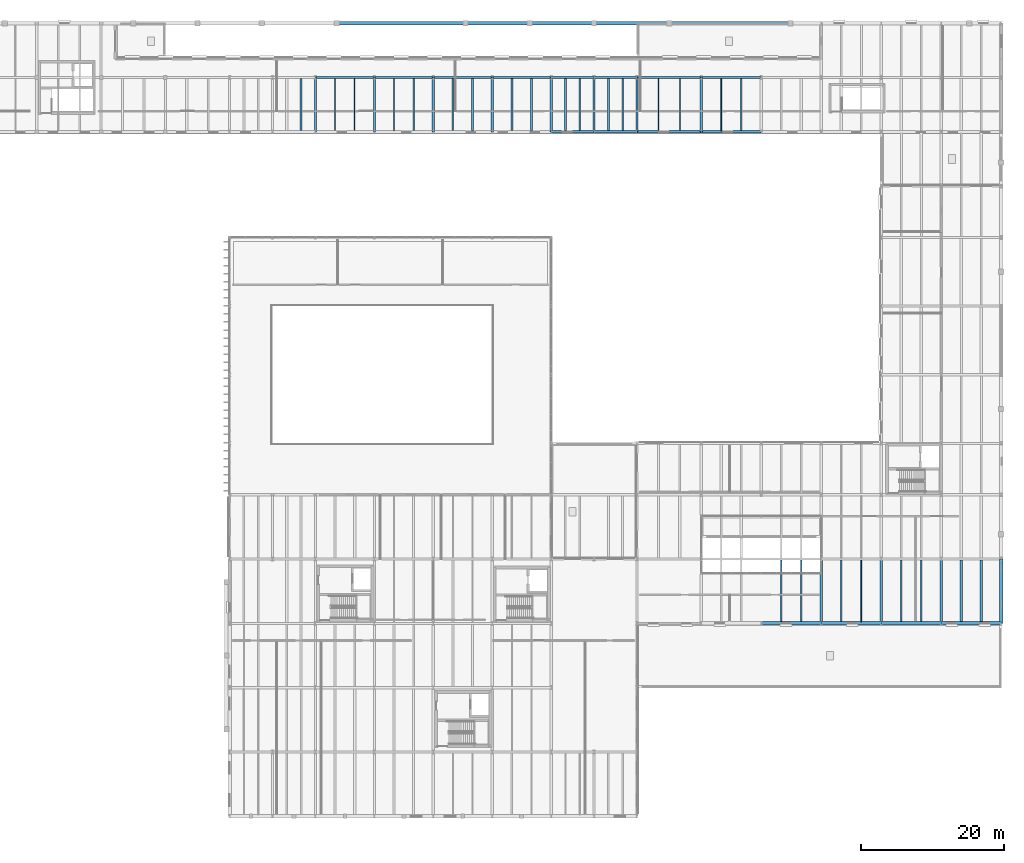
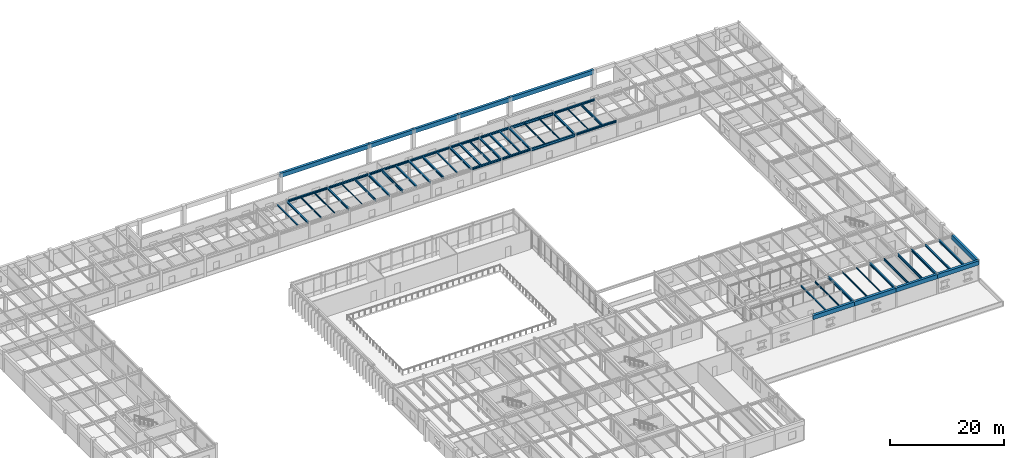
# One storey, part 31 of 64: 58 beams.
"""IFC4 building model written with IfcOpenShell, lengths in metres."""

from ifc_helpers import new_model, si_unit, direction, frame, origin, origin_2d, place, context, subcontext, project, spatial, rectangle, i_section, extrude, material, material_profile, profile_set, type_object, element, save


model = new_model("IFC4")

# Units and contexts
model_context = context("Model", 3, precision=1e-05, world=origin(), true_north=direction((0.0, 1.0)))
body_context = subcontext(model_context, "Body", "Model", "MODEL_VIEW")
ifc_project = project(units=[si_unit("LENGTHUNIT", "METRE"), si_unit("AREAUNIT", "SQUARE_METRE"), si_unit("VOLUMEUNIT", "CUBIC_METRE"), si_unit("PLANEANGLEUNIT", "RADIAN"), si_unit("MASSUNIT", "GRAM", prefix="KILO")], contexts=[model_context])

# Site, building, storey
site_placement = place(None, origin())
site = spatial("IfcSite", under=ifc_project, at=site_placement, CompositionType="ELEMENT")
building_placement = place(site_placement, origin())
building = spatial("IfcBuilding", under=site, at=building_placement, Name="Montealbar Specialist Clinic", CompositionType="ELEMENT")
storey_placement = place(building_placement, frame((0.0, 0.0, 5.10009765625)))
storey = spatial("IfcBuildingStorey", under=building, at=storey_placement, Name="L01", CompositionType="ELEMENT", Elevation=5.10009765625)

# Beams
ifc_material_1 = material(Name="Precast concrete C40/50", Category="concrete")
ifc_material_profile_1 = material_profile(ifc_material_1, rectangle(XDim=0.5, YDim=0.89990234375, at=origin_2d()), Name="PRECAST CORNICE 500x900", Category="concrete")
ifc_profile_set_1 = profile_set([ifc_material_profile_1], Name="Precast concrete C40/50")
beam_type_1 = type_object("IfcBeamType", Name="BM-CORNICE-PM900-EXT", PredefinedType="SPANDREL", material=ifc_profile_set_1)
beam_1_placement = place(storey_placement, frame((128.39990234375, 27.0, 3.77001953125), z_axis=(1.0, 0.0, 0.0), x_axis=(0.0, 1.0, 0.0)))
element("IfcBeam", 1, at=beam_1_placement, inside=storey, type_object=beam_type_1, Name="Postmodern Entablature Cornice L01 Y=27.0 X=128.4-136.8", PredefinedType="SPANDREL", context=body_context, shape_type="SweptSolid", body=[
    extrude(rectangle(XDim=0.5, YDim=0.89990234375, at=origin_2d()), origin(), (0.0, 0.0, 1.0), 8.400146484375),
])
beam_2_placement = place(storey_placement, frame((136.800048828125, 27.0, 3.77001953125), z_axis=(1.0, 0.0, 0.0), x_axis=(0.0, 1.0, 0.0)))
element("IfcBeam", 2, at=beam_2_placement, inside=storey, type_object=beam_type_1, Name="Postmodern Entablature Cornice L01 Y=27.0 X=136.8-145.2", PredefinedType="SPANDREL", context=body_context, shape_type="SweptSolid", body=[
    extrude(rectangle(XDim=0.5, YDim=0.89990234375, at=origin_2d()), origin(), (0.0, 0.0, 1.0), 8.39990234375),
])
beam_3_placement = place(storey_placement, frame((145.199951171875, 27.0, 3.77001953125), z_axis=(1.0, 0.0, 0.0), x_axis=(0.0, 1.0, 0.0)))
element("IfcBeam", 3, at=beam_3_placement, inside=storey, type_object=beam_type_1, Name="Postmodern Entablature Cornice L01 Y=27.0 X=145.2-153.6", PredefinedType="SPANDREL", context=body_context, shape_type="SweptSolid", body=[
    extrude(rectangle(XDim=0.5, YDim=0.89990234375, at=origin_2d()), origin(), (0.0, 0.0, 1.0), 8.400146484375),
])
beam_4_placement = place(storey_placement, frame((153.60009765625, 27.0, 3.77001953125), z_axis=(1.0, 0.0, 0.0), x_axis=(0.0, 1.0, 0.0)))
element("IfcBeam", 4, at=beam_4_placement, inside=storey, type_object=beam_type_1, Name="Postmodern Entablature Cornice L01 Y=27.0 X=153.6-162.0", PredefinedType="SPANDREL", context=body_context, shape_type="SweptSolid", body=[
    extrude(rectangle(XDim=0.5, YDim=0.89990234375, at=origin_2d()), origin(), (0.0, 0.0, 1.0), 8.39990234375),
])
beam_5_placement = place(storey_placement, frame((162.0, 27.0, 3.77001953125), z_axis=(0.0, 1.0, 0.0), x_axis=(-1.0, 0.0, 0.0)))
element("IfcBeam", 5, at=beam_5_placement, inside=storey, type_object=beam_type_1, Name="Postmodern Entablature Cornice L01 X=162.0 Y=27.0-36.0", PredefinedType="SPANDREL", context=body_context, shape_type="SweptSolid", body=[
    extrude(rectangle(XDim=0.5, YDim=0.89990234375, at=origin_2d()), origin(), (0.0, 0.0, 1.0), 9.0),
])
beam_6_placement = place(storey_placement, frame((69.0, 111.0, 4.0498046875), z_axis=(1.0, 0.0, 0.0), x_axis=(0.0, 1.0, 0.0)))
element("IfcBeam", 6, at=beam_6_placement, inside=storey, type_object=beam_type_1, Name="North Colonnade Portico Entablature X=69.0-87.0", PredefinedType="SPANDREL", context=body_context, shape_type="SweptSolid", body=[
    extrude(rectangle(XDim=0.5, YDim=0.89990234375, at=origin_2d()), origin(), (0.0, 0.0, 1.0), 18.0),
])
for number, where, z_axis, x_axis, name in (
    (7, (87.0, 111.0, 4.0498046875), (1.0, 0.0, 0.0), (0.0, 1.0, 0.0), "North Colonnade Portico Entablature X=87.0-96.0"),
    (8, (96.0, 111.0, 4.0498046875), (1.0, 0.0, 0.0), (0.0, 1.0, 0.0), "North Colonnade Portico Entablature X=96.0-105.0"),
):
    element("IfcBeam", number, at=place(storey_placement, frame(where, z_axis=z_axis, x_axis=x_axis)), inside=storey, type_object=beam_type_1, Name=name, PredefinedType="SPANDREL", context=body_context, shape_type="SweptSolid", body=[
        extrude(rectangle(XDim=0.5, YDim=0.89990234375, at=origin_2d()), origin(), (0.0, 0.0, 1.0), 9.0),
    ])
beam_7_placement = place(storey_placement, frame((105.0, 111.0, 4.0498046875), z_axis=(1.0, 0.0, 0.0), x_axis=(0.0, 1.0, 0.0)))
element("IfcBeam", 9, at=beam_7_placement, inside=storey, type_object=beam_type_1, Name="North Colonnade Portico Entablature X=105.0-115.5", PredefinedType="SPANDREL", context=body_context, shape_type="SweptSolid", body=[
    extrude(rectangle(XDim=0.5, YDim=0.89990234375, at=origin_2d()), origin(), (0.0, 0.0, 1.0), 10.5),
])
beam_8_placement = place(storey_placement, frame((115.5, 111.0, 4.0498046875), z_axis=(1.0, 0.0, 0.0), x_axis=(0.0, 1.0, 0.0)))
element("IfcBeam", 10, at=beam_8_placement, inside=storey, type_object=beam_type_1, Name="North Colonnade Portico Entablature X=115.5-132.5", PredefinedType="SPANDREL", context=body_context, shape_type="SweptSolid", body=[
    extrude(rectangle(XDim=0.5, YDim=0.89990234375, at=origin_2d()), origin(), (0.0, 0.0, 1.0), 17.0),
])
ifc_material_2 = material(Name="Steel S355", Category="steel")
ifc_material_profile_2 = material_profile(ifc_material_2, i_section(OverallWidth=0.300048828125, OverallDepth=0.360107421875, WebThickness=0.012451171875, FlangeThickness=0.0224609375, FilletRadius=0.027099609375, at=origin_2d()), Name="HEB 360", Category="steel")
ifc_profile_set_2 = profile_set([ifc_material_profile_2], Name="Steel S355")
beam_type_2 = type_object("IfcBeamType", Name="BM-GIRD-HEB360-EXT", PredefinedType="BEAM", material=ifc_profile_set_2)
for number, where, z_axis, x_axis, name in (
    (11, (66.0, 95.800048828125, 4.0498046875), (0.0, 1.0, 0.0), (-1.0, 0.0, 0.0), "Beam GY-L01-660-958-1034"),
    (12, (74.25, 95.800048828125, 4.0498046875), (0.0, 1.0, 0.0), (-1.0, 0.0, 0.0), "Beam GY-L01-742-958-1034"),
    (13, (82.5, 95.800048828125, 4.0498046875), (0.0, 1.0, 0.0), (-1.0, 0.0, 0.0), "Beam GY-L01-825-958-1034"),
    (14, (90.75, 95.800048828125, 4.0498046875), (0.0, 1.0, 0.0), (-1.0, 0.0, 0.0), "Beam GY-L01-908-958-1034"),
    (15, (99.0, 95.800048828125, 4.0498046875), (0.0, 1.0, 0.0), (-1.0, 0.0, 0.0), "Beam GY-L01-990-958-1034"),
    (16, (105.0, 95.800048828125, 4.0498046875), (0.0, 1.0, 0.0), (-1.0, 0.0, 0.0), "Beam GY-L01-1050-958-1034"),
    (17, (111.0, 95.800048828125, 4.0498046875), (0.0, 1.0, 0.0), (-1.0, 0.0, 0.0), "Beam GY-L01-1110-958-1034"),
    (18, (120.0, 95.800048828125, 4.0498046875), (0.0, 1.0, 0.0), (-1.0, 0.0, 0.0), "Beam GY-L01-1200-958-1034"),
):
    element("IfcBeam", number, at=place(storey_placement, frame(where, z_axis=z_axis, x_axis=x_axis)), inside=storey, type_object=beam_type_2, Name=name, PredefinedType="BEAM", context=body_context, shape_type="SweptSolid", body=[
        extrude(i_section(OverallWidth=0.300048828125, OverallDepth=0.360107421875, WebThickness=0.012451171875, FlangeThickness=0.0224609375, FilletRadius=0.027099609375, at=origin_2d()), origin(), (0.0, 0.0, 1.0), 7.599853515625),
    ])
ifc_material_profile_3 = material_profile(ifc_material_2, i_section(OverallWidth=0.300048828125, OverallDepth=0.39990234375, WebThickness=0.013427734375, FlangeThickness=0.02392578125, FilletRadius=0.027099609375, at=origin_2d()), Name="HEB 400", Category="steel")
ifc_profile_set_3 = profile_set([ifc_material_profile_3], Name="Steel S355")
beam_type_3 = type_object("IfcBeamType", Name="BM-GIRD-HEB400-EXT", PredefinedType="BEAM", material=ifc_profile_set_3)
for number, where, z_axis, x_axis, name in (
    (19, (99.0, 95.800048828125, 4.02978515625), (1.0, 0.0, 0.0), (0.0, 1.0, 0.0), "Beam GX-L01-990-1050-958"),
    (20, (105.0, 95.800048828125, 4.02978515625), (1.0, 0.0, 0.0), (0.0, 1.0, 0.0), "Beam GX-L01-1050-1110-958"),
):
    element("IfcBeam", number, at=place(storey_placement, frame(where, z_axis=z_axis, x_axis=x_axis)), inside=storey, type_object=beam_type_3, Name=name, PredefinedType="BEAM", context=body_context, shape_type="SweptSolid", body=[
        extrude(i_section(OverallWidth=0.300048828125, OverallDepth=0.39990234375, WebThickness=0.013427734375, FlangeThickness=0.02392578125, FilletRadius=0.027099609375, at=origin_2d()), origin(), (0.0, 0.0, 1.0), 6.0),
    ])
beam_9_placement = place(storey_placement, frame((120.0, 95.800048828125, 4.02978515625), z_axis=(1.0, 0.0, 0.0), x_axis=(0.0, 1.0, 0.0)))
element("IfcBeam", 21, at=beam_9_placement, inside=storey, type_object=beam_type_3, Name="Beam GX-L01-1200-1284-958", PredefinedType="BEAM", context=body_context, shape_type="SweptSolid", body=[
    extrude(i_section(OverallWidth=0.300048828125, OverallDepth=0.39990234375, WebThickness=0.013427734375, FlangeThickness=0.02392578125, FilletRadius=0.027099609375, at=origin_2d()), origin(), (0.0, 0.0, 1.0), 8.39990234375),
])
for number, where, z_axis, x_axis, name in (
    (22, (66.0, 103.39990234375, 4.02978515625), (1.0, 0.0, 0.0), (0.0, 1.0, 0.0), "Beam GX-L01-660-742-1034"),
    (23, (74.25, 103.39990234375, 4.02978515625), (1.0, 0.0, 0.0), (0.0, 1.0, 0.0), "Beam GX-L01-742-825-1034"),
    (24, (82.5, 103.39990234375, 4.02978515625), (1.0, 0.0, 0.0), (0.0, 1.0, 0.0), "Beam GX-L01-825-908-1034"),
    (25, (90.75, 103.39990234375, 4.02978515625), (1.0, 0.0, 0.0), (0.0, 1.0, 0.0), "Beam GX-L01-908-990-1034"),
):
    element("IfcBeam", number, at=place(storey_placement, frame(where, z_axis=z_axis, x_axis=x_axis)), inside=storey, type_object=beam_type_3, Name=name, PredefinedType="BEAM", context=body_context, shape_type="SweptSolid", body=[
        extrude(i_section(OverallWidth=0.300048828125, OverallDepth=0.39990234375, WebThickness=0.013427734375, FlangeThickness=0.02392578125, FilletRadius=0.027099609375, at=origin_2d()), origin(), (0.0, 0.0, 1.0), 8.25),
    ])
for number, where, z_axis, x_axis, name in (
    (26, (99.0, 103.39990234375, 4.02978515625), (1.0, 0.0, 0.0), (0.0, 1.0, 0.0), "Beam GX-L01-990-1050-1034"),
    (27, (105.0, 103.39990234375, 4.02978515625), (1.0, 0.0, 0.0), (0.0, 1.0, 0.0), "Beam GX-L01-1050-1110-1034"),
):
    element("IfcBeam", number, at=place(storey_placement, frame(where, z_axis=z_axis, x_axis=x_axis)), inside=storey, type_object=beam_type_3, Name=name, PredefinedType="BEAM", context=body_context, shape_type="SweptSolid", body=[
        extrude(i_section(OverallWidth=0.300048828125, OverallDepth=0.39990234375, WebThickness=0.013427734375, FlangeThickness=0.02392578125, FilletRadius=0.027099609375, at=origin_2d()), origin(), (0.0, 0.0, 1.0), 6.0),
    ])
beam_10_placement = place(storey_placement, frame((120.0, 103.39990234375, 4.02978515625), z_axis=(1.0, 0.0, 0.0), x_axis=(0.0, 1.0, 0.0)))
element("IfcBeam", 28, at=beam_10_placement, inside=storey, type_object=beam_type_3, Name="Beam GX-L01-1200-1284-1034", PredefinedType="BEAM", context=body_context, shape_type="SweptSolid", body=[
    extrude(i_section(OverallWidth=0.300048828125, OverallDepth=0.39990234375, WebThickness=0.013427734375, FlangeThickness=0.02392578125, FilletRadius=0.027099609375, at=origin_2d()), origin(), (0.0, 0.0, 1.0), 8.39990234375),
])
ifc_material_profile_4 = material_profile(ifc_material_2, i_section(OverallWidth=0.300048828125, OverallDepth=0.5, WebThickness=0.014404296875, FlangeThickness=0.028076171875, FilletRadius=0.027099609375, at=origin_2d()), Name="HEB 500", Category="steel")
ifc_profile_set_4 = profile_set([ifc_material_profile_4], Name="Steel S355")
beam_type_4 = type_object("IfcBeamType", Name="BM-GIRD-HEB500", PredefinedType="BEAM", material=ifc_profile_set_4)
for number, where, z_axis, x_axis, name in (
    (29, (136.800048828125, 27.0, 3.969970703125), (0.0, 1.0, 0.0), (-1.0, 0.0, 0.0), "Beam GY-L01-1368-270-360"),
    (30, (145.199951171875, 27.0, 3.969970703125), (0.0, 1.0, 0.0), (-1.0, 0.0, 0.0), "Beam GY-L01-1452-270-360"),
    (31, (153.60009765625, 27.0, 3.969970703125), (0.0, 1.0, 0.0), (-1.0, 0.0, 0.0), "Beam GY-L01-1536-270-360"),
):
    element("IfcBeam", number, at=place(storey_placement, frame(where, z_axis=z_axis, x_axis=x_axis)), inside=storey, type_object=beam_type_4, Name=name, PredefinedType="BEAM", context=body_context, shape_type="SweptSolid", body=[
        extrude(i_section(OverallWidth=0.300048828125, OverallDepth=0.5, WebThickness=0.014404296875, FlangeThickness=0.028076171875, FilletRadius=0.027099609375, at=origin_2d()), origin(), (0.0, 0.0, 1.0), 9.0),
    ])
ifc_material_profile_5 = material_profile(ifc_material_2, i_section(OverallWidth=0.300048828125, OverallDepth=0.550048828125, WebThickness=0.014892578125, FlangeThickness=0.029052734375, FilletRadius=0.027099609375, at=origin_2d()), Name="HEB 550", Category="steel")
ifc_profile_set_5 = profile_set([ifc_material_profile_5], Name="Steel S355")
beam_type_5 = type_object("IfcBeamType", Name="BM-GIRD-HEB550-EXT", PredefinedType="BEAM", material=ifc_profile_set_5)
for number, where, z_axis, x_axis, name in (
    (32, (111.0, 95.800048828125, 3.954833984375), (1.0, 0.0, 0.0), (0.0, 1.0, 0.0), "Beam GX-L01-1110-1200-958"),
    (33, (111.0, 103.39990234375, 3.954833984375), (1.0, 0.0, 0.0), (0.0, 1.0, 0.0), "Beam GX-L01-1110-1200-1034"),
):
    element("IfcBeam", number, at=place(storey_placement, frame(where, z_axis=z_axis, x_axis=x_axis)), inside=storey, type_object=beam_type_5, Name=name, PredefinedType="BEAM", context=body_context, shape_type="SweptSolid", body=[
        extrude(i_section(OverallWidth=0.300048828125, OverallDepth=0.550048828125, WebThickness=0.014892578125, FlangeThickness=0.029052734375, FilletRadius=0.027099609375, at=origin_2d()), origin(), (0.0, 0.0, 1.0), 9.0),
    ])
ifc_material_profile_6 = material_profile(ifc_material_2, i_section(OverallWidth=0.300048828125, OverallDepth=0.35009765625, WebThickness=0.010009765625, FlangeThickness=0.017578125, FilletRadius=0.027099609375, at=origin_2d()), Name="HEA 360", Category="steel")
ifc_profile_set_6 = profile_set([ifc_material_profile_6], Name="Steel S355")
beam_type_6 = type_object("IfcBeamType", Name="BM-JST-HEA360", PredefinedType="JOIST", material=ifc_profile_set_6)
beam_11_placement = place(storey_placement, frame((88.0, 95.949951171875, 4.054931640625), z_axis=(0.0, 1.0, 0.0), x_axis=(-1.0, 0.0, 0.0)))
element("IfcBeam", 34, at=beam_11_placement, inside=storey, type_object=beam_type_6, Name="Beam JST-L01-880-960-1032", PredefinedType="JOIST", context=body_context, shape_type="SweptSolid", body=[
    extrude(i_section(OverallWidth=0.300048828125, OverallDepth=0.35009765625, WebThickness=0.010009765625, FlangeThickness=0.017578125, FilletRadius=0.027099609375, at=origin_2d()), origin(), (0.0, 0.0, 1.0), 7.300048828125),
])
beam_12_placement = place(storey_placement, frame((156.39990234375, 27.25, 4.044921875), z_axis=(0.0, 1.0, 0.0), x_axis=(-1.0, 0.0, 0.0)))
element("IfcBeam", 35, at=beam_12_placement, inside=storey, type_object=beam_type_6, Name="Beam JST-L01-1564-272-358", PredefinedType="JOIST", context=body_context, shape_type="SweptSolid", body=[
    extrude(i_section(OverallWidth=0.300048828125, OverallDepth=0.35009765625, WebThickness=0.010009765625, FlangeThickness=0.017578125, FilletRadius=0.027099609375, at=origin_2d()), origin(), (0.0, 0.0, 1.0), 8.60009765625),
])
ifc_material_profile_7 = material_profile(ifc_material_2, i_section(OverallWidth=0.300048828125, OverallDepth=0.43994140625, WebThickness=0.011474609375, FlangeThickness=0.02099609375, FilletRadius=0.027099609375, at=origin_2d()), Name="HEA 450", Category="steel")
ifc_profile_set_7 = profile_set([ifc_material_profile_7], Name="Steel S355")
beam_type_7 = type_object("IfcBeamType", Name="BM-JST-HEA450", PredefinedType="JOIST", material=ifc_profile_set_7)
beam_13_placement = place(storey_placement, frame((159.199951171875, 27.25, 4.0), z_axis=(0.0, 1.0, 0.0), x_axis=(-1.0, 0.0, 0.0)))
element("IfcBeam", 36, at=beam_13_placement, inside=storey, type_object=beam_type_7, Name="Beam JST-L01-1592-272-358", PredefinedType="JOIST", context=body_context, shape_type="SweptSolid", body=[
    extrude(i_section(OverallWidth=0.300048828125, OverallDepth=0.43994140625, WebThickness=0.011474609375, FlangeThickness=0.02099609375, FilletRadius=0.027099609375, at=origin_2d()), origin(), (0.0, 0.0, 1.0), 8.60009765625),
])
ifc_material_profile_8 = material_profile(ifc_material_2, i_section(OverallWidth=0.300048828125, OverallDepth=0.489990234375, WebThickness=0.011962890625, FlangeThickness=0.02294921875, FilletRadius=0.027099609375, at=origin_2d()), Name="HEA 500", Category="steel")
ifc_profile_set_8 = profile_set([ifc_material_profile_8], Name="Steel S355")
beam_type_8 = type_object("IfcBeamType", Name="BM-JST-HEA500", PredefinedType="JOIST", material=ifc_profile_set_8)
beam_14_placement = place(storey_placement, frame((93.5, 95.949951171875, 3.98486328125), z_axis=(0.0, 1.0, 0.0), x_axis=(-1.0, 0.0, 0.0)))
element("IfcBeam", 37, at=beam_14_placement, inside=storey, type_object=beam_type_8, Name="Beam JST-L01-935-960-1032", PredefinedType="JOIST", context=body_context, shape_type="SweptSolid", body=[
    extrude(i_section(OverallWidth=0.300048828125, OverallDepth=0.489990234375, WebThickness=0.011962890625, FlangeThickness=0.02294921875, FilletRadius=0.027099609375, at=origin_2d()), origin(), (0.0, 0.0, 1.0), 7.300048828125),
])
ifc_material_profile_9 = material_profile(ifc_material_2, i_section(OverallWidth=0.239990234375, OverallDepth=0.239990234375, WebThickness=0.010009765625, FlangeThickness=0.01708984375, FilletRadius=0.02099609375, at=origin_2d()), Name="HEB 240", Category="steel")
ifc_profile_set_9 = profile_set([ifc_material_profile_9], Name="Steel S355")
beam_type_9 = type_object("IfcBeamType", Name="BM-JST-HEB240", PredefinedType="JOIST", material=ifc_profile_set_9)
beam_15_placement = place(storey_placement, frame((96.25, 95.949951171875, 4.10986328125), z_axis=(0.0, 1.0, 0.0), x_axis=(-1.0, 0.0, 0.0)))
element("IfcBeam", 38, at=beam_15_placement, inside=storey, type_object=beam_type_9, Name="Beam JST-L01-962-960-1032", PredefinedType="JOIST", context=body_context, shape_type="SweptSolid", body=[
    extrude(i_section(OverallWidth=0.239990234375, OverallDepth=0.239990234375, WebThickness=0.010009765625, FlangeThickness=0.01708984375, FilletRadius=0.02099609375, at=origin_2d()), origin(), (0.0, 0.0, 1.0), 7.300048828125),
])
ifc_material_profile_10 = material_profile(ifc_material_2, i_section(OverallWidth=0.300048828125, OverallDepth=0.320068359375, WebThickness=0.011474609375, FlangeThickness=0.0205078125, FilletRadius=0.027099609375, at=origin_2d()), Name="HEB 320", Category="steel")
ifc_profile_set_10 = profile_set([ifc_material_profile_10], Name="Steel S355")
beam_type_10 = type_object("IfcBeamType", Name="BM-JST-HEB320", PredefinedType="JOIST", material=ifc_profile_set_10)
beam_16_placement = place(storey_placement, frame((101.0, 95.949951171875, 4.06982421875), z_axis=(0.0, 1.0, 0.0), x_axis=(-1.0, 0.0, 0.0)))
element("IfcBeam", 39, at=beam_16_placement, inside=storey, type_object=beam_type_10, Name="Beam JST-L01-1010-960-1032", PredefinedType="JOIST", context=body_context, shape_type="SweptSolid", body=[
    extrude(i_section(OverallWidth=0.300048828125, OverallDepth=0.320068359375, WebThickness=0.011474609375, FlangeThickness=0.0205078125, FilletRadius=0.027099609375, at=origin_2d()), origin(), (0.0, 0.0, 1.0), 7.300048828125),
])
ifc_material_profile_11 = material_profile(ifc_material_2, i_section(OverallWidth=0.1201171875, OverallDepth=0.239990234375, WebThickness=0.006103515625, FlangeThickness=0.009765625, FilletRadius=0.014892578125, at=origin_2d()), Name="IPE 240", Category="steel")
ifc_profile_set_11 = profile_set([ifc_material_profile_11], Name="Steel S355")
beam_type_11 = type_object("IfcBeamType", Name="BM-JST-IPE240", PredefinedType="JOIST", material=ifc_profile_set_11)
for number, where, z_axis, x_axis, name in (
    (40, (77.0, 95.949951171875, 4.10986328125), (0.0, 1.0, 0.0), (-1.0, 0.0, 0.0), "Beam JST-L01-770-960-1032"),
    (41, (122.800048828125, 95.949951171875, 4.10986328125), (0.0, 1.0, 0.0), (-1.0, 0.0, 0.0), "Beam JST-L01-1228-960-1032"),
):
    element("IfcBeam", number, at=place(storey_placement, frame(where, z_axis=z_axis, x_axis=x_axis)), inside=storey, type_object=beam_type_11, Name=name, PredefinedType="JOIST", context=body_context, shape_type="SweptSolid", body=[
        extrude(i_section(OverallWidth=0.1201171875, OverallDepth=0.239990234375, WebThickness=0.006103515625, FlangeThickness=0.009765625, FilletRadius=0.014892578125, at=origin_2d()), origin(), (0.0, 0.0, 1.0), 7.300048828125),
    ])
ifc_material_profile_12 = material_profile(ifc_material_2, i_section(OverallWidth=0.135009765625, OverallDepth=0.27001953125, WebThickness=0.006591796875, FlangeThickness=0.01025390625, FilletRadius=0.014892578125, at=origin_2d()), Name="IPE 270", Category="steel")
ifc_profile_set_12 = profile_set([ifc_material_profile_12], Name="Steel S355")
beam_type_12 = type_object("IfcBeamType", Name="BM-JST-IPE270", PredefinedType="JOIST", material=ifc_profile_set_12)
beam_17_placement = place(storey_placement, frame((142.39990234375, 27.25, 4.0849609375), z_axis=(0.0, 1.0, 0.0), x_axis=(-1.0, 0.0, 0.0)))
element("IfcBeam", 42, at=beam_17_placement, inside=storey, type_object=beam_type_12, Name="Beam JST-L01-1424-272-358", PredefinedType="JOIST", context=body_context, shape_type="SweptSolid", body=[
    extrude(i_section(OverallWidth=0.135009765625, OverallDepth=0.27001953125, WebThickness=0.006591796875, FlangeThickness=0.01025390625, FilletRadius=0.014892578125, at=origin_2d()), origin(), (0.0, 0.0, 1.0), 8.60009765625),
])
ifc_material_profile_13 = material_profile(ifc_material_2, i_section(OverallWidth=0.14990234375, OverallDepth=0.300048828125, WebThickness=0.007080078125, FlangeThickness=0.0107421875, FilletRadius=0.014892578125, at=origin_2d()), Name="IPE 300", Category="steel")
ifc_profile_set_13 = profile_set([ifc_material_profile_13], Name="Steel S355")
beam_type_13 = type_object("IfcBeamType", Name="BM-JST-IPE300", PredefinedType="JOIST", material=ifc_profile_set_13)
for number, where, z_axis, x_axis, name in (
    (43, (71.5, 95.949951171875, 4.079833984375), (0.0, 1.0, 0.0), (-1.0, 0.0, 0.0), "Beam JST-L01-715-960-1032"),
    (44, (117.0, 95.949951171875, 4.079833984375), (0.0, 1.0, 0.0), (-1.0, 0.0, 0.0), "Beam JST-L01-1170-960-1032"),
):
    element("IfcBeam", number, at=place(storey_placement, frame(where, z_axis=z_axis, x_axis=x_axis)), inside=storey, type_object=beam_type_13, Name=name, PredefinedType="JOIST", context=body_context, shape_type="SweptSolid", body=[
        extrude(i_section(OverallWidth=0.14990234375, OverallDepth=0.300048828125, WebThickness=0.007080078125, FlangeThickness=0.0107421875, FilletRadius=0.014892578125, at=origin_2d()), origin(), (0.0, 0.0, 1.0), 7.300048828125),
    ])
beam_18_placement = place(storey_placement, frame((139.60009765625, 27.25, 4.06982421875), z_axis=(0.0, 1.0, 0.0), x_axis=(-1.0, 0.0, 0.0)))
element("IfcBeam", 45, at=beam_18_placement, inside=storey, type_object=beam_type_13, Name="Beam JST-L01-1396-272-358", PredefinedType="JOIST", context=body_context, shape_type="SweptSolid", body=[
    extrude(i_section(OverallWidth=0.14990234375, OverallDepth=0.300048828125, WebThickness=0.007080078125, FlangeThickness=0.0107421875, FilletRadius=0.014892578125, at=origin_2d()), origin(), (0.0, 0.0, 1.0), 8.60009765625),
])
ifc_material_profile_14 = material_profile(ifc_material_2, i_section(OverallWidth=0.159912109375, OverallDepth=0.330078125, WebThickness=0.007568359375, FlangeThickness=0.011474609375, FilletRadius=0.01806640625, at=origin_2d()), Name="IPE 330", Category="steel")
ifc_profile_set_14 = profile_set([ifc_material_profile_14], Name="Steel S355")
beam_type_14 = type_object("IfcBeamType", Name="BM-JST-IPE330", PredefinedType="JOIST", material=ifc_profile_set_14)
for number, where, z_axis, x_axis, name in (
    (46, (68.75, 95.949951171875, 4.06494140625), (0.0, 1.0, 0.0), (-1.0, 0.0, 0.0), "Beam JST-L01-688-960-1032"),
    (47, (114.0, 95.949951171875, 4.06494140625), (0.0, 1.0, 0.0), (-1.0, 0.0, 0.0), "Beam JST-L01-1140-960-1032"),
):
    element("IfcBeam", number, at=place(storey_placement, frame(where, z_axis=z_axis, x_axis=x_axis)), inside=storey, type_object=beam_type_14, Name=name, PredefinedType="JOIST", context=body_context, shape_type="SweptSolid", body=[
        extrude(i_section(OverallWidth=0.159912109375, OverallDepth=0.330078125, WebThickness=0.007568359375, FlangeThickness=0.011474609375, FilletRadius=0.01806640625, at=origin_2d()), origin(), (0.0, 0.0, 1.0), 7.300048828125),
    ])
ifc_material_profile_15 = material_profile(ifc_material_2, i_section(OverallWidth=0.169921875, OverallDepth=0.360107421875, WebThickness=0.008056640625, FlangeThickness=0.0126953125, FilletRadius=0.01806640625, at=origin_2d()), Name="IPE 360", Category="steel")
ifc_profile_set_15 = profile_set([ifc_material_profile_15], Name="Steel S355")
beam_type_15 = type_object("IfcBeamType", Name="BM-JST-IPE360", PredefinedType="JOIST", material=ifc_profile_set_15)
beam_19_placement = place(storey_placement, frame((134.0, 27.25, 4.039794921875), z_axis=(0.0, 1.0, 0.0), x_axis=(-1.0, 0.0, 0.0)))
element("IfcBeam", 48, at=beam_19_placement, inside=storey, type_object=beam_type_15, Name="Beam JST-L01-1340-272-358", PredefinedType="JOIST", context=body_context, shape_type="SweptSolid", body=[
    extrude(i_section(OverallWidth=0.169921875, OverallDepth=0.360107421875, WebThickness=0.008056640625, FlangeThickness=0.0126953125, FilletRadius=0.01806640625, at=origin_2d()), origin(), (0.0, 0.0, 1.0), 8.60009765625),
])
ifc_material_profile_16 = material_profile(ifc_material_2, i_section(OverallWidth=0.199951171875, OverallDepth=0.5, WebThickness=0.01025390625, FlangeThickness=0.01611328125, FilletRadius=0.02099609375, at=origin_2d()), Name="IPE 500", Category="steel")
ifc_profile_set_16 = profile_set([ifc_material_profile_16], Name="Steel S355")
beam_type_16 = type_object("IfcBeamType", Name="BM-JST-IPE500", PredefinedType="JOIST", material=ifc_profile_set_16)
for number, where, z_axis, x_axis, name in (
    (49, (79.75, 95.949951171875, 3.97998046875), (0.0, 1.0, 0.0), (-1.0, 0.0, 0.0), "Beam JST-L01-798-960-1032"),
    (50, (125.60009765625, 95.949951171875, 3.97998046875), (0.0, 1.0, 0.0), (-1.0, 0.0, 0.0), "Beam JST-L01-1256-960-1032"),
):
    element("IfcBeam", number, at=place(storey_placement, frame(where, z_axis=z_axis, x_axis=x_axis)), inside=storey, type_object=beam_type_16, Name=name, PredefinedType="JOIST", context=body_context, shape_type="SweptSolid", body=[
        extrude(i_section(OverallWidth=0.199951171875, OverallDepth=0.5, WebThickness=0.01025390625, FlangeThickness=0.01611328125, FilletRadius=0.02099609375, at=origin_2d()), origin(), (0.0, 0.0, 1.0), 7.300048828125),
    ])
beam_20_placement = place(storey_placement, frame((148.0, 27.25, 3.969970703125), z_axis=(0.0, 1.0, 0.0), x_axis=(-1.0, 0.0, 0.0)))
element("IfcBeam", 51, at=beam_20_placement, inside=storey, type_object=beam_type_16, Name="Beam JST-L01-1480-272-358", PredefinedType="JOIST", context=body_context, shape_type="SweptSolid", body=[
    extrude(i_section(OverallWidth=0.199951171875, OverallDepth=0.5, WebThickness=0.01025390625, FlangeThickness=0.01611328125, FilletRadius=0.02099609375, at=origin_2d()), origin(), (0.0, 0.0, 1.0), 8.60009765625),
])
ifc_material_profile_17 = material_profile(ifc_material_2, i_section(OverallWidth=0.2099609375, OverallDepth=0.550048828125, WebThickness=0.010986328125, FlangeThickness=0.01708984375, FilletRadius=0.02392578125, at=origin_2d()), Name="IPE 550", Category="steel")
ifc_profile_set_17 = profile_set([ifc_material_profile_17], Name="Steel S355")
beam_type_17 = type_object("IfcBeamType", Name="BM-JST-IPE550", PredefinedType="JOIST", material=ifc_profile_set_17)
beam_21_placement = place(storey_placement, frame((150.800048828125, 27.25, 3.94482421875), z_axis=(0.0, 1.0, 0.0), x_axis=(-1.0, 0.0, 0.0)))
element("IfcBeam", 52, at=beam_21_placement, inside=storey, type_object=beam_type_17, Name="Beam JST-L01-1508-272-358", PredefinedType="JOIST", context=body_context, shape_type="SweptSolid", body=[
    extrude(i_section(OverallWidth=0.2099609375, OverallDepth=0.550048828125, WebThickness=0.010986328125, FlangeThickness=0.01708984375, FilletRadius=0.02392578125, at=origin_2d()), origin(), (0.0, 0.0, 1.0), 8.60009765625),
])
ifc_material_profile_18 = material_profile(ifc_material_2, i_section(OverallWidth=0.219970703125, OverallDepth=0.60009765625, WebThickness=0.011962890625, FlangeThickness=0.01904296875, FilletRadius=0.02392578125, at=origin_2d()), Name="IPE 600", Category="steel")
ifc_profile_set_18 = profile_set([ifc_material_profile_18], Name="Steel S355")
beam_type_18 = type_object("IfcBeamType", Name="BM-JST-IPE600", PredefinedType="JOIST", material=ifc_profile_set_18)
beam_22_placement = place(storey_placement, frame((85.25, 95.949951171875, 3.929931640625), z_axis=(0.0, 1.0, 0.0), x_axis=(-1.0, 0.0, 0.0)))
element("IfcBeam", 53, at=beam_22_placement, inside=storey, type_object=beam_type_18, Name="Beam JST-L01-852-960-1032", PredefinedType="JOIST", context=body_context, shape_type="SweptSolid", body=[
    extrude(i_section(OverallWidth=0.219970703125, OverallDepth=0.60009765625, WebThickness=0.011962890625, FlangeThickness=0.01904296875, FilletRadius=0.02392578125, at=origin_2d()), origin(), (0.0, 0.0, 1.0), 7.300048828125),
])
ifc_material_profile_19 = material_profile(ifc_material_2, i_section(OverallWidth=0.18994140625, OverallDepth=0.449951171875, WebThickness=0.009521484375, FlangeThickness=0.0146484375, FilletRadius=0.02099609375, at=origin_2d()), Name="IPE 450", Category="steel")
ifc_profile_set_19 = profile_set([ifc_material_profile_19], Name="Steel S355")
beam_type_19 = type_object("IfcBeamType", Name="BM-SEC-IPE450", PredefinedType="BEAM", material=ifc_profile_set_19)
beam_23_placement = place(storey_placement, frame((103.0, 95.949951171875, 4.0048828125), z_axis=(0.0, 1.0, 0.0), x_axis=(-1.0, 0.0, 0.0)))
element("IfcBeam", 54, at=beam_23_placement, inside=storey, type_object=beam_type_19, Name="Beam JST-L01-1030-960-1032", PredefinedType="BEAM", context=body_context, shape_type="SweptSolid", body=[
    extrude(i_section(OverallWidth=0.18994140625, OverallDepth=0.449951171875, WebThickness=0.009521484375, FlangeThickness=0.0146484375, FilletRadius=0.02099609375, at=origin_2d()), origin(), (0.0, 0.0, 1.0), 7.300048828125),
])
ifc_material_profile_20 = material_profile(ifc_material_2, i_section(OverallWidth=0.239990234375, OverallDepth=0.22998046875, WebThickness=0.007568359375, FlangeThickness=0.011962890625, FilletRadius=0.02099609375, at=origin_2d()), Name="HEA 240", Category="steel")
ifc_profile_set_20 = profile_set([ifc_material_profile_20], Name="Steel S355")
beam_type_20 = type_object("IfcBeamType", Name="BM-SPAND-HEA240", PredefinedType="SPANDREL", material=ifc_profile_set_20)
for number, where, z_axis, x_axis, name in (
    (55, (64.0, 95.949951171875, 4.114990234375), (0.0, 1.0, 0.0), (-1.0, 0.0, 0.0), "Beam JST-L01-640-960-1032"),
    (56, (109.0, 95.949951171875, 4.114990234375), (0.0, 1.0, 0.0), (-1.0, 0.0, 0.0), "Beam JST-L01-1090-960-1032"),
):
    element("IfcBeam", number, at=place(storey_placement, frame(where, z_axis=z_axis, x_axis=x_axis)), inside=storey, type_object=beam_type_20, Name=name, PredefinedType="SPANDREL", context=body_context, shape_type="SweptSolid", body=[
        extrude(i_section(OverallWidth=0.239990234375, OverallDepth=0.22998046875, WebThickness=0.007568359375, FlangeThickness=0.011962890625, FilletRadius=0.02099609375, at=origin_2d()), origin(), (0.0, 0.0, 1.0), 7.300048828125),
    ])
beam_24_placement = place(storey_placement, frame((131.199951171875, 27.25, 4.10498046875), z_axis=(0.0, 1.0, 0.0), x_axis=(-1.0, 0.0, 0.0)))
element("IfcBeam", 57, at=beam_24_placement, inside=storey, type_object=beam_type_20, Name="Beam JST-L01-1312-272-358", PredefinedType="SPANDREL", context=body_context, shape_type="SweptSolid", body=[
    extrude(i_section(OverallWidth=0.239990234375, OverallDepth=0.22998046875, WebThickness=0.007568359375, FlangeThickness=0.011962890625, FilletRadius=0.02099609375, at=origin_2d()), origin(), (0.0, 0.0, 1.0), 8.60009765625),
])
ifc_material_profile_21 = material_profile(ifc_material_2, i_section(OverallWidth=0.300048828125, OverallDepth=0.2900390625, WebThickness=0.008544921875, FlangeThickness=0.013916015625, FilletRadius=0.027099609375, at=origin_2d()), Name="HEA 300", Category="steel")
ifc_profile_set_21 = profile_set([ifc_material_profile_21], Name="Steel S355")
beam_type_21 = type_object("IfcBeamType", Name="BM-SPAND-HEA300", PredefinedType="SPANDREL", material=ifc_profile_set_21)
beam_25_placement = place(storey_placement, frame((107.0, 95.949951171875, 4.0849609375), z_axis=(0.0, 1.0, 0.0), x_axis=(-1.0, 0.0, 0.0)))
element("IfcBeam", 58, at=beam_25_placement, inside=storey, type_object=beam_type_21, Name="Beam JST-L01-1070-960-1032", PredefinedType="SPANDREL", context=body_context, shape_type="SweptSolid", body=[
    extrude(i_section(OverallWidth=0.300048828125, OverallDepth=0.2900390625, WebThickness=0.008544921875, FlangeThickness=0.013916015625, FilletRadius=0.027099609375, at=origin_2d()), origin(), (0.0, 0.0, 1.0), 7.300048828125),
])

save(model, "model.ifc")
